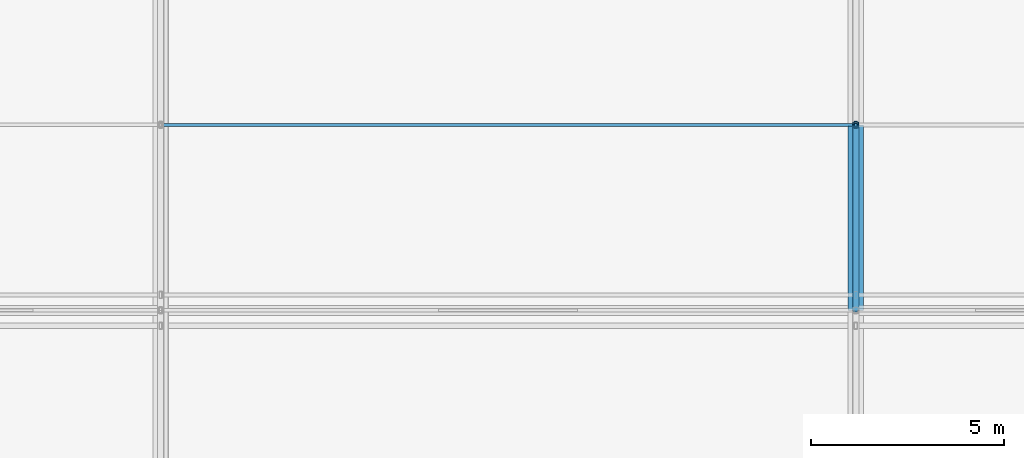
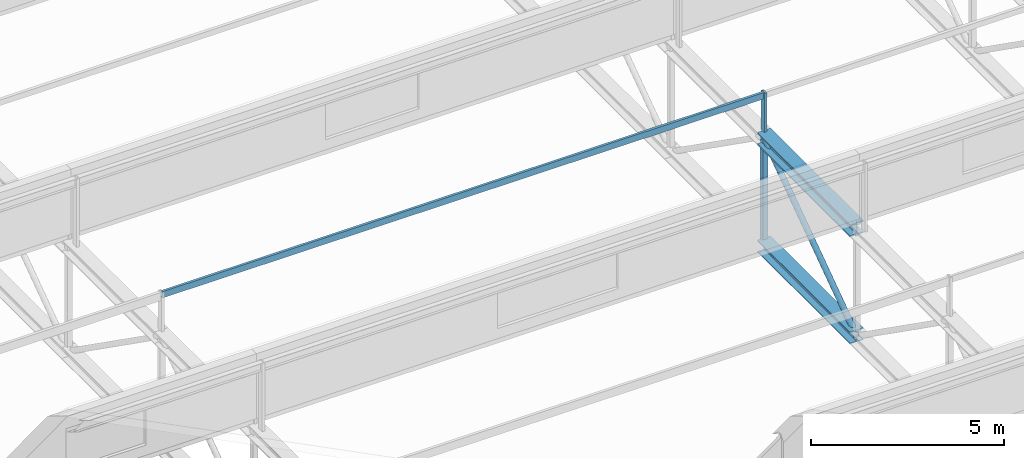
# One storey, part 32 of 136: 4 members, 2 beams.
"""IFC4 building model written with IfcOpenShell, lengths in metres."""

from ifc_helpers import new_model, si_unit, direction, frame, origin, origin_2d, place, context, subcontext, project, spatial, hollow_rectangle, hollow_circle, i_section, u_section, extrude, material, material_profile, profile_set, type_object, element, save


model = new_model("IFC4")

# Units and contexts
model_context = context("Model", 3, precision=1e-05, world=origin(), true_north=direction((0.0, 1.0)))
body_context = subcontext(model_context, "Body", "Model", "MODEL_VIEW")
ifc_project = project(units=[si_unit("LENGTHUNIT", "METRE"), si_unit("AREAUNIT", "SQUARE_METRE"), si_unit("VOLUMEUNIT", "CUBIC_METRE"), si_unit("PLANEANGLEUNIT", "RADIAN"), si_unit("MASSUNIT", "GRAM", prefix="KILO")], contexts=[model_context])

# Site, building, storey
site_placement = place(None, origin())
site = spatial("IfcSite", under=ifc_project, at=site_placement, CompositionType="ELEMENT")
building_placement = place(site_placement, origin())
building = spatial("IfcBuilding", under=site, at=building_placement, Name="Kisiwana Market Hall", CompositionType="ELEMENT")
storey_placement = place(building_placement, frame((0.0, 0.0, 16.800048828125)))
storey = spatial("IfcBuildingStorey", under=building, at=storey_placement, Name="L03", CompositionType="ELEMENT", Elevation=16.800048828125)

# Beams
ifc_material_1 = material(Name="Steel S355", Category="steel")
ifc_material_profile_1 = material_profile(ifc_material_1, i_section(OverallWidth=0.394775390625, OverallDepth=0.381103515625, WebThickness=0.018310546875, FlangeThickness=0.0302734375, at=origin_2d()), Name="UC 356x406x235")
ifc_profile_set_1 = profile_set([ifc_material_profile_1], Name="Steel S355")
beam_type_1 = type_object("IfcBeamType", Name="BM-TRUSS-BOT", PredefinedType="USERDEFINED", material=ifc_profile_set_1)
beam_1_placement = place(storey_placement, frame((108.0, 55.199951171875, 0.22998046875), z_axis=(0.0, 1.0, 0.0), x_axis=(-1.0, 0.0, 0.0)))
element("IfcBeam", 1, at=beam_1_placement, inside=storey, type_object=beam_type_1, Name="TR-05 BC panel 5 B-1262", ObjectType="ROOF TRUSS", PredefinedType="USERDEFINED", context=body_context, shape_type="SweptSolid", body=[
    extrude(i_section(OverallWidth=0.394775390625, OverallDepth=0.381103515625, WebThickness=0.018310546875, FlangeThickness=0.0302734375, at=origin_2d()), origin(), (0.0, 0.0, 1.0), 4.800048828125),
])
ifc_material_2 = material(Name="Steel S355", Category="steel")
ifc_material_profile_2 = material_profile(ifc_material_2, i_section(OverallWidth=0.39892578125, OverallDepth=0.3935546875, WebThickness=0.022705078125, FlangeThickness=0.03662109375, at=origin_2d()), Name="UC 356x406x287")
ifc_profile_set_2 = profile_set([ifc_material_profile_2], Name="Steel S355")
beam_type_2 = type_object("IfcBeamType", Name="BM-TRUSS-TOP", PredefinedType="USERDEFINED", material=ifc_profile_set_2)
beam_2_placement = place(storey_placement, frame((108.0, 55.199951171875, 3.619873046875), z_axis=(0.0, 1.0, 0.0), x_axis=(-1.0, 0.0, 0.0)))
element("IfcBeam", 2, at=beam_2_placement, inside=storey, type_object=beam_type_2, Name="TR-05 TC panel 5 B-1272", ObjectType="ROOF TRUSS", PredefinedType="USERDEFINED", context=body_context, shape_type="SweptSolid", body=[
    extrude(i_section(OverallWidth=0.39892578125, OverallDepth=0.3935546875, WebThickness=0.022705078125, FlangeThickness=0.03662109375, at=origin_2d()), origin(), (0.0, 0.0, 1.0), 4.800048828125),
])

# Members
ifc_material_3 = material(Name="Steel S355", Category="steel")
ifc_material_profile_3 = material_profile(ifc_material_3, hollow_rectangle(XDim=0.080078125, YDim=0.179931640625, WallThickness=0.00634765625, at=origin_2d()), Name="RHS 180x80x6.3")
ifc_profile_set_3 = profile_set([ifc_material_profile_3], Name="Steel S355")
member_type_1 = type_object("IfcMemberType", Name="MB-CAN-STRUT", PredefinedType="STRUT", material=ifc_profile_set_3)
member_1_placement = place(storey_placement, frame((108.0, 60.0, 3.619873046875), z_axis=(0.0, 0.0, 1.0), x_axis=(1.0, 0.0, 0.0)))
element("IfcMember", 3, at=member_1_placement, inside=storey, type_object=member_type_1, Name="Sawtooth mid-slope raker post 34 M-0072", PredefinedType="STRUT", context=body_context, shape_type="SweptSolid", body=[
    extrude(hollow_rectangle(XDim=0.080078125, YDim=0.179931640625, WallThickness=0.00634765625, at=origin_2d()), origin(), (0.0, 0.0, 1.0), 1.42041015625),
])
ifc_material_4 = material(Name="Steel S355", Category="steel")
ifc_material_profile_4 = material_profile(ifc_material_4, u_section(Depth=0.199951171875, FlangeWidth=0.074951171875, WebThickness=0.006103515625, FlangeThickness=0.012451171875, at=origin_2d()), Name="PFC 200x75x23")
ifc_profile_set_4 = profile_set([ifc_material_profile_4], Name="Steel S355")
member_type_2 = type_object("IfcMemberType", Name="MB-PURL-PFC200", PredefinedType="PURLIN", material=ifc_profile_set_4)
member_2_placement = place(storey_placement, frame((90.0, 60.0, 4.936279296875), z_axis=(1.0, 0.0, 0.0), x_axis=(0.0, 1.0, 0.0)))
element("IfcMember", 4, at=member_2_placement, inside=storey, type_object=member_type_2, Name="Sawtooth mid-slope roof purlin 40 M-0108", PredefinedType="PURLIN", context=body_context, shape_type="SweptSolid", body=[
    extrude(u_section(Depth=0.199951171875, FlangeWidth=0.074951171875, WebThickness=0.006103515625, FlangeThickness=0.012451171875, at=origin_2d()), origin(), (0.0, 0.0, 1.0), 18.0),
])
ifc_material_5 = material(Name="Steel S355", Category="steel")
ifc_material_profile_5 = material_profile(ifc_material_5, hollow_circle(Radius=0.084228515625, WallThickness=0.010009765625, at=origin_2d()), Name="CHS 168.3x10.0")
ifc_profile_set_5 = profile_set([ifc_material_profile_5], Name="Steel S355")
member_type_3 = type_object("IfcMemberType", Name="MB-TR-DIAG168", PredefinedType="BRACE", material=ifc_profile_set_5)
member_3_placement = place(storey_placement, frame((108.0, 55.199951171875, 0.22998046875), z_axis=(0.0, 0.816837735077, 0.576867501732), x_axis=(-1.0, 0.0, 0.0)))
element("IfcMember", 5, at=member_3_placement, inside=storey, type_object=member_type_3, Name="TR-05 diagonal 5 M-0416", PredefinedType="BRACE", context=body_context, shape_type="SweptSolid", body=[
    extrude(hollow_circle(Radius=0.084228515625, WallThickness=0.010009765625, at=origin_2d()), origin(), (0.0, 0.0, 1.0), 5.87646484375),
])
ifc_material_6 = material(Name="Steel S355", Category="steel")
ifc_material_profile_6 = material_profile(ifc_material_6, hollow_rectangle(XDim=0.14990234375, YDim=0.14990234375, WallThickness=0.008056640625, at=origin_2d()), Name="SHS 150x150x8.0")
ifc_profile_set_6 = profile_set([ifc_material_profile_6], Name="Steel S355")
member_type_4 = type_object("IfcMemberType", Name="MB-TR-STRUT200", PredefinedType="STRUT", material=ifc_profile_set_6)
member_4_placement = place(storey_placement, frame((108.0, 60.0, 0.22998046875), z_axis=(0.0, 0.0, 1.0), x_axis=(1.0, 0.0, 0.0)))
element("IfcMember", 6, at=member_4_placement, inside=storey, type_object=member_type_4, Name="TR-05 vertical strut 6 M-0426", PredefinedType="STRUT", context=body_context, shape_type="SweptSolid", body=[
    extrude(hollow_rectangle(XDim=0.14990234375, YDim=0.14990234375, WallThickness=0.008056640625, at=origin_2d()), origin(), (0.0, 0.0, 1.0), 3.389892578125),
])

save(model, "model.ifc")
